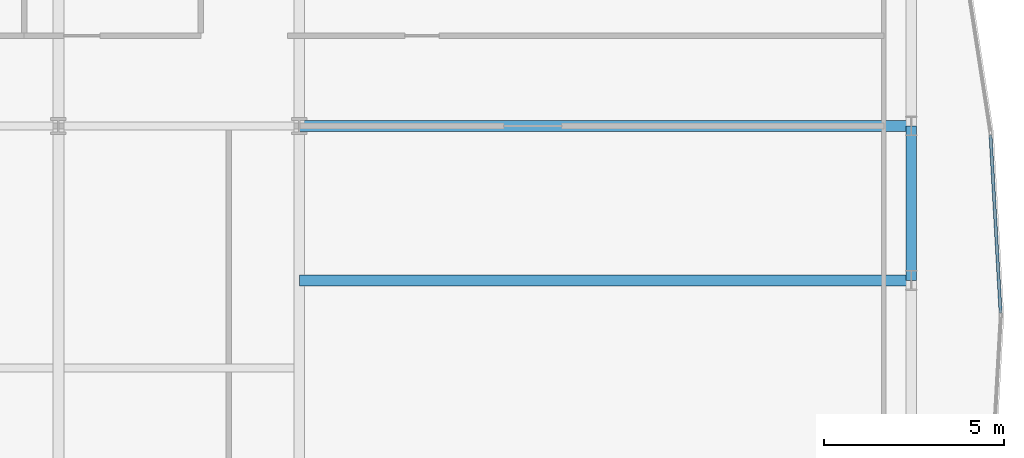
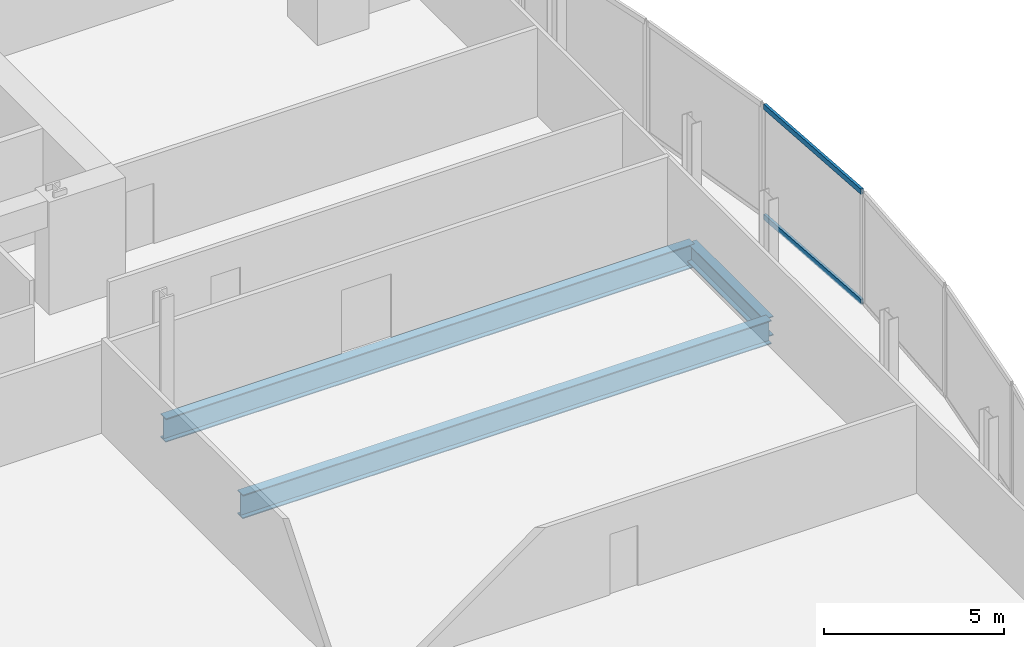
# One storey, part 23 of 35: 3 beams, 2 members, 1 element without a shape of its own.
"""IFC4 building model written with IfcOpenShell, lengths in metres."""

from ifc_helpers import new_model, si_unit, direction, frame, origin, origin_2d, place, context, subcontext, project, spatial, hollow_rectangle, i_section, extrude, material, material_profile, profile_set, type_object, element, aggregate, save


model = new_model("IFC4")

# Units and contexts
model_context = context("Model", 3, precision=1e-05, world=origin(), true_north=direction((0.0, 1.0)))
body_context = subcontext(model_context, "Body", "Model", "MODEL_VIEW")
ifc_project = project(units=[si_unit("LENGTHUNIT", "METRE"), si_unit("AREAUNIT", "SQUARE_METRE"), si_unit("VOLUMEUNIT", "CUBIC_METRE"), si_unit("PLANEANGLEUNIT", "RADIAN"), si_unit("MASSUNIT", "GRAM", prefix="KILO")], contexts=[model_context])

# Site, building, storey
site_placement = place(None, origin())
site = spatial("IfcSite", under=ifc_project, at=site_placement, CompositionType="ELEMENT")
building_placement = place(site_placement, origin())
building = spatial("IfcBuilding", under=site, at=building_placement, Name="Khoronbel Lancet Exchange", CompositionType="ELEMENT")
storey_placement = place(building_placement, frame((0.0, 0.0, 53.800048828125)))
storey = spatial("IfcBuildingStorey", under=building, at=storey_placement, Name="L12", CompositionType="ELEMENT", Elevation=53.800048828125)

# Beams
ifc_material_1 = material(Name="Steel S355", Category="steel")
ifc_material_profile_1 = material_profile(ifc_material_1, i_section(OverallWidth=0.300048828125, OverallDepth=0.800048828125, WebThickness=0.017578125, FlangeThickness=0.032958984375, at=origin_2d()), Name="HEB 800")
ifc_profile_set_1 = profile_set([ifc_material_profile_1], Name="Steel S355")
beam_type_1 = type_object("IfcBeamType", Name="BM-BG2", PredefinedType="BEAM", material=ifc_profile_set_1)
for number, where, z_axis, x_axis, name in (
    (1, (54.675048828125, 31.425048828125, -0.580078125), (1.0, 0.0, 0.0), (0.0, 1.0, 0.0), "Level L12 east lens tie girder LG2E"),
    (2, (54.675048828125, 35.699951171875, -0.580078125), (1.0, 0.0, 0.0), (0.0, 1.0, 0.0), "Level L12 east lens tie girder LG4E"),
):
    element("IfcBeam", number, at=place(storey_placement, frame(where, z_axis=z_axis, x_axis=x_axis)), inside=storey, type_object=beam_type_1, Name=name, PredefinedType="BEAM", context=body_context, shape_type="SweptSolid", body=[
        extrude(i_section(OverallWidth=0.300048828125, OverallDepth=0.800048828125, WebThickness=0.017578125, FlangeThickness=0.032958984375, at=origin_2d()), origin(), (0.0, 0.0, 1.0), 16.954833984375),
    ])
ifc_material_profile_2 = material_profile(ifc_material_1, i_section(OverallWidth=0.300048828125, OverallDepth=0.64990234375, WebThickness=0.01611328125, FlangeThickness=0.031005859375, at=origin_2d()), Name="HEB 650")
ifc_profile_set_2 = profile_set([ifc_material_profile_2], Name="Steel S355")
beam_type_2 = type_object("IfcBeamType", Name="BM-BSP1", PredefinedType="SPANDREL", material=ifc_profile_set_2)
beam_placement = place(storey_placement, frame((71.6298828125, 31.425048828125, -0.505126953125), z_axis=(0.0, 1.0, 0.0), x_axis=(-1.0, 0.0, 0.0)))
element("IfcBeam", 3, at=beam_placement, inside=storey, type_object=beam_type_2, Name="Level L12 perimeter spandrel beam SP13", PredefinedType="SPANDREL", context=body_context, shape_type="SweptSolid", body=[
    extrude(i_section(OverallWidth=0.300048828125, OverallDepth=0.64990234375, WebThickness=0.01611328125, FlangeThickness=0.031005859375, at=origin_2d()), origin(), (0.0, 0.0, 1.0), 4.27490234375),
])

# Curtain wall, members
ifc_material_2 = material(Name="Low-E Solar Control Insulating Glass", Category="glass")
curtain_wall_type = type_object("IfcCurtainWallType", Name="CW-4", PredefinedType="NOTDEFINED", material=ifc_material_2)
curtain_wall_placement = place(storey_placement, origin())
curtain_wall = element("IfcCurtainWall", 4, at=curtain_wall_placement, inside=storey, type_object=curtain_wall_type, Name="Unitised curtain wall CW-L12-E19", PredefinedType="NOTDEFINED")
ifc_material_3 = material(Name="Bronze-Anodised Aluminium 6063-T6", Category="aluminium")
ifc_material_profile_3 = material_profile(ifc_material_3, hollow_rectangle(XDim=0.0849609375, YDim=0.179931640625, WallThickness=0.0048828125, at=origin_2d()), Name="ALU TRANSOM 85x180")
ifc_profile_set_3 = profile_set([ifc_material_profile_3], Name="Bronze-Anodised Aluminium 6063-T6")
member_type = type_object("IfcMemberType", Name="MEM-CWT1", PredefinedType="USERDEFINED", material=ifc_profile_set_3)
member_1_placement = place(storey_placement, frame((73.82666015625, 35.448974609375, 0.04248046875), z_axis=(0.056580344599, -0.998398049179, 0.0), x_axis=(0.998398049179, 0.056580344599, 0.0)))
member_1 = element("IfcMember", 5, at=member_1_placement, type_object=member_type, Name="CW4 transom 1.1", ObjectType="TRANSOM", PredefinedType="USERDEFINED", context=body_context, shape_type="SweptSolid", body=[
    extrude(hollow_rectangle(XDim=0.0849609375, YDim=0.179931640625, WallThickness=0.0048828125, at=origin_2d()), origin(), (0.0, 0.0, 1.0), 4.931884765625),
])
member_2_placement = place(storey_placement, frame((73.82666015625, 35.448974609375, 3.77734375), z_axis=(0.056580344599, -0.998398049179, 0.0), x_axis=(0.998398049179, 0.056580344599, 0.0)))
member_2 = element("IfcMember", 6, at=member_2_placement, type_object=member_type, Name="CW4 transom 1.2", ObjectType="TRANSOM", PredefinedType="USERDEFINED", context=body_context, shape_type="SweptSolid", body=[
    extrude(hollow_rectangle(XDim=0.0849609375, YDim=0.179931640625, WallThickness=0.0048828125, at=origin_2d()), origin(), (0.0, 0.0, 1.0), 4.931884765625),
])
aggregate(curtain_wall, [member_1, member_2])

save(model, "model.ifc")
